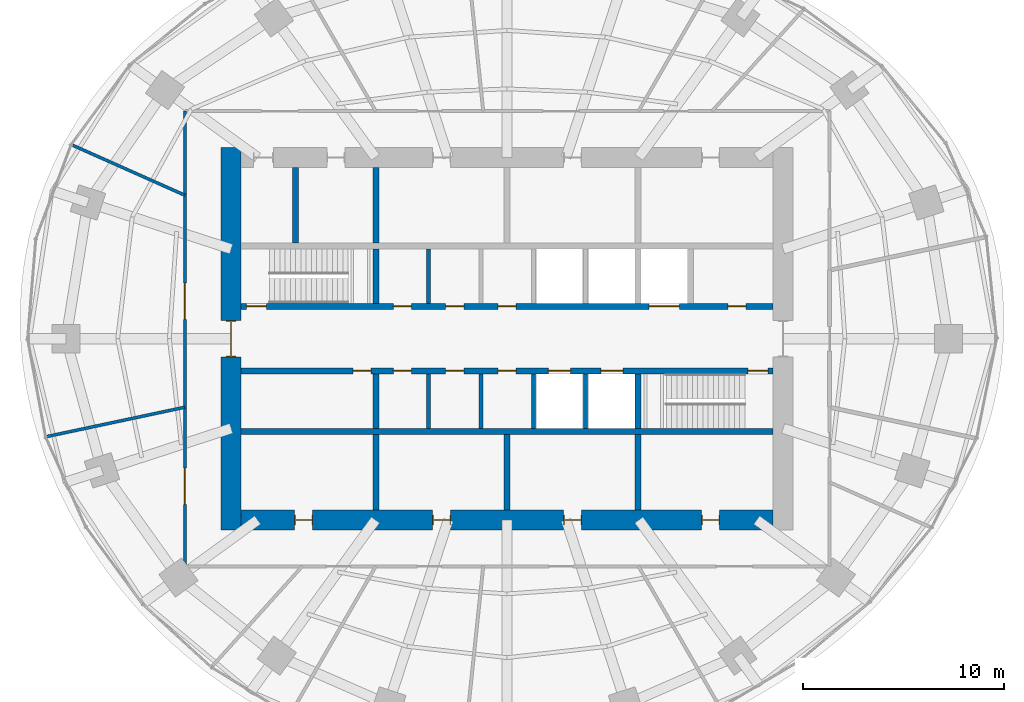
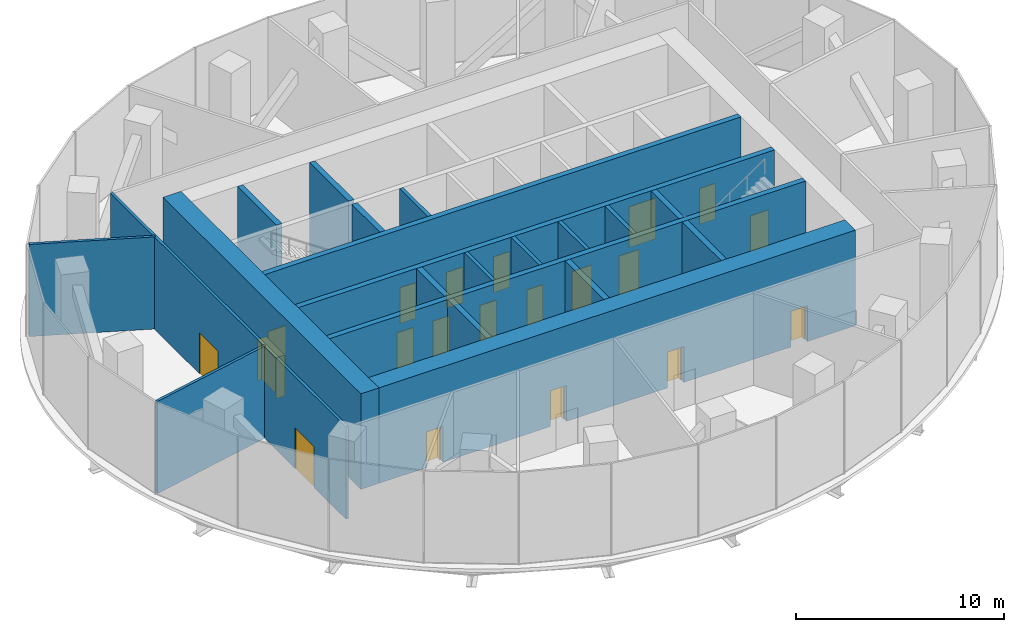
# One storey, part 10 of 13: 21 walls, 20 doors, 20 openings.
"""IFC4 building model written with IfcOpenShell, lengths in metres."""

from ifc_helpers import new_model, si_unit, direction, frame, frame_2d, origin, place, context, subcontext, project, spatial, rectangle, extrude, material, layer, layer_set, type_object, element, fill, save


model = new_model("IFC4")

# Units and contexts
model_context = context("Model", 3, precision=1e-05, world=origin(), true_north=direction((0.0, 1.0)))
body_context = subcontext(model_context, "Body", "Model", "MODEL_VIEW")
ifc_project = project(units=[si_unit("LENGTHUNIT", "METRE"), si_unit("AREAUNIT", "SQUARE_METRE"), si_unit("VOLUMEUNIT", "CUBIC_METRE"), si_unit("PLANEANGLEUNIT", "RADIAN"), si_unit("MASSUNIT", "GRAM", prefix="KILO")], contexts=[model_context])

# Site, building, storey
site_placement = place(None, origin())
site = spatial("IfcSite", under=ifc_project, at=site_placement, CompositionType="ELEMENT")
building_placement = place(site_placement, origin())
building = spatial("IfcBuilding", under=site, at=building_placement, Name="Marramba Exchange Tower", CompositionType="ELEMENT")
storey_placement = place(building_placement, frame((0.0, 0.0, 246.199951171875)))
storey = spatial("IfcBuildingStorey", under=building, at=storey_placement, Name="L60", CompositionType="ELEMENT", Elevation=246.199951171875)

# Walls
ifc_material_1 = material(Name="Concrete N50", Category="concrete")
ifc_layer_1 = layer(ifc_material_1, 0.199951171875)
ifc_layer_set_1 = layer_set([ifc_layer_1], Name="Core shaft wall 200")
wall_type_1 = type_object("IfcWallType", Name="Core shaft wall 200", PredefinedType="SHEAR", material=ifc_layer_set_1)
for number, where, z_axis, x_axis, name in (
    (1, (-3.89990234375, 1.75, 0.0), (0.0, 0.0, 1.0), (0.0, 1.0, 0.0), "Core wall SHN1 L60"),
    (2, (-3.89990234375, -1.75, 0.0), (0.0, 0.0, 1.0), (0.0, -1.0, 0.0), "Core wall SHS1 L60"),
    (3, (-1.300048828125, -1.75, 0.0), (0.0, 0.0, 1.0), (0.0, -1.0, 0.0), "Core wall SHS2 L60"),
    (4, (1.300048828125, -1.75, 0.0), (0.0, 0.0, 1.0), (0.0, -1.0, 0.0), "Core wall SHS3 L60"),
    (5, (3.89990234375, -1.75, 0.0), (0.0, 0.0, 1.0), (0.0, -1.0, 0.0), "Core wall SHS4 L60"),
):
    element("IfcWall", number, at=place(storey_placement, frame(where, z_axis=z_axis, x_axis=x_axis)), inside=storey, type_object=wall_type_1, Name=name, PredefinedType="SHEAR", context=body_context, shape_type="SweptSolid", body=[
        extrude(rectangle(XDim=2.699951171875, YDim=0.199951171875, at=frame_2d((1.35009765625, 0.0))), origin(), (0.0, 0.0, 1.0), 5.60009765625),
    ])

# Wall, openings, doors
ifc_layer_2 = layer(ifc_material_1, 1.0)
ifc_layer_set_2 = layer_set([ifc_layer_2], Name="Core wall 1000")
wall_type_2 = type_object("IfcWallType", Name="Core wall 1000", PredefinedType="SHEAR", material=ifc_layer_set_2)
wall_1_placement = place(storey_placement, frame((-13.199951171875, -9.0, 0.0), z_axis=(0.0, 0.0, 1.0), x_axis=(1.0, 0.0, 0.0)))
wall_1 = element("IfcWall", 6, at=wall_1_placement, inside=storey, type_object=wall_type_2, Name="Core wall S L60", PredefinedType="SHEAR", context=body_context, shape_type="SweptSolid", body=[
    extrude(rectangle(XDim=26.39990234375, YDim=1.0, at=frame_2d((13.199951171875, 0.0))), origin(), (0.0, 0.0, 1.0), 5.60009765625),
])
opening_1_placement = place(wall_1_placement, frame((2.64990234375, 0.0, 0.0)))
opening_1 = element("IfcOpeningElement", 7, at=opening_1_placement, cuts=wall_1, Name="Opening D5", PredefinedType="OPENING", context=body_context, shape_type="SweptSolid", body=[
    extrude(rectangle(XDim=0.89990234375, YDim=2.10009765625, at=frame_2d((0.449951171875, 1.050048828125))), frame((0.0, 0.510009765625, 0.0), z_axis=(0.0, -1.0, 0.0), x_axis=(1.0, 0.0, 0.0)), (0.0, 0.0, 1.0), 1.02001953125),
])
opening_2_placement = place(wall_1_placement, frame((9.5, 0.0, 0.0)))
opening_2 = element("IfcOpeningElement", 8, at=opening_2_placement, cuts=wall_1, Name="Opening D5", PredefinedType="OPENING", context=body_context, shape_type="SweptSolid", body=[
    extrude(rectangle(XDim=0.89990234375, YDim=2.10009765625, at=frame_2d((0.449951171875, 1.050048828125))), frame((0.0, 0.510009765625, 0.0), z_axis=(0.0, -1.0, 0.0), x_axis=(1.0, 0.0, 0.0)), (0.0, 0.0, 1.0), 1.02001953125),
])
opening_3_placement = place(wall_1_placement, frame((16.0, 0.0, 0.0)))
opening_3 = element("IfcOpeningElement", 9, at=opening_3_placement, cuts=wall_1, Name="Opening D5", PredefinedType="OPENING", context=body_context, shape_type="SweptSolid", body=[
    extrude(rectangle(XDim=0.89990234375, YDim=2.10009765625, at=frame_2d((0.449951171875, 1.050048828125))), frame((0.0, 0.510009765625, 0.0), z_axis=(0.0, -1.0, 0.0), x_axis=(1.0, 0.0, 0.0)), (0.0, 0.0, 1.0), 1.02001953125),
])
opening_4_placement = place(wall_1_placement, frame((22.85009765625, 0.0, 0.0)))
opening_4 = element("IfcOpeningElement", 10, at=opening_4_placement, cuts=wall_1, Name="Opening D5", PredefinedType="OPENING", context=body_context, shape_type="SweptSolid", body=[
    extrude(rectangle(XDim=0.89990234375, YDim=2.10009765625, at=frame_2d((0.449951171875, 1.050048828125))), frame((0.0, 0.510009765625, 0.0), z_axis=(0.0, -1.0, 0.0), x_axis=(1.0, 0.0, 0.0)), (0.0, 0.0, 1.0), 1.02001953125),
])
ifc_material_2 = material(Name="Steel-framed door", Category="steel")
door_type_1 = type_object("IfcDoorType", Name="Service door 900x2100", OperationType="SINGLE_SWING_LEFT", PredefinedType="DOOR", material=ifc_material_2)
door_1_placement = place(opening_1_placement, origin())
door_1 = element("IfcDoor", 11, at=door_1_placement, inside=storey, type_object=door_type_1, Name="D5 ahu L60", OperationType="SINGLE_SWING_LEFT", OverallHeight=2.10009765625, OverallWidth=0.89990234375, PredefinedType="DOOR", context=body_context, shape_type="SweptSolid", body=[
    extrude(rectangle(XDim=0.81982421875, YDim=2.06005859375, at=frame_2d((0.449951171875, 1.030029296875))), frame((0.0, 0.02490234375, 0.0), z_axis=(0.0, -1.0, 0.0), x_axis=(1.0, 0.0, 0.0)), (0.0, 0.0, 1.0), 0.050048828125),
    extrude(rectangle(XDim=0.04, YDim=2.10009765625, at=frame_2d((0.02001953125, 1.050048828125))), frame((0.0, 0.25, 0.0), z_axis=(0.0, -1.0, 0.0), x_axis=(1.0, 0.0, 0.0)), (0.0, 0.0, 1.0), 0.5),
    extrude(rectangle(XDim=0.04, YDim=2.10009765625, at=frame_2d((0.8798828125, 1.050048828125))), frame((0.0, 0.25, 0.0), z_axis=(0.0, -1.0, 0.0), x_axis=(1.0, 0.0, 0.0)), (0.0, 0.0, 1.0), 0.5),
    extrude(rectangle(XDim=0.81982421875, YDim=0.04, at=frame_2d((0.449951171875, 2.080078125))), frame((0.0, 0.25, 0.0), z_axis=(0.0, -1.0, 0.0), x_axis=(1.0, 0.0, 0.0)), (0.0, 0.0, 1.0), 0.5),
])
fill(opening_1, door_1)
door_2_placement = place(opening_2_placement, origin())
door_2 = element("IfcDoor", 12, at=door_2_placement, inside=storey, type_object=door_type_1, Name="D5 store L60", OperationType="SINGLE_SWING_RIGHT", OverallHeight=2.10009765625, OverallWidth=0.89990234375, PredefinedType="DOOR", context=body_context, shape_type="SweptSolid", body=[
    extrude(rectangle(XDim=0.81982421875, YDim=2.06005859375, at=frame_2d((0.449951171875, 1.030029296875))), frame((0.0, 0.02490234375, 0.0), z_axis=(0.0, -1.0, 0.0), x_axis=(1.0, 0.0, 0.0)), (0.0, 0.0, 1.0), 0.050048828125),
    extrude(rectangle(XDim=0.04, YDim=2.10009765625, at=frame_2d((0.02001953125, 1.050048828125))), frame((0.0, 0.25, 0.0), z_axis=(0.0, -1.0, 0.0), x_axis=(1.0, 0.0, 0.0)), (0.0, 0.0, 1.0), 0.5),
    extrude(rectangle(XDim=0.04, YDim=2.10009765625, at=frame_2d((0.8798828125, 1.050048828125))), frame((0.0, 0.25, 0.0), z_axis=(0.0, -1.0, 0.0), x_axis=(1.0, 0.0, 0.0)), (0.0, 0.0, 1.0), 0.5),
    extrude(rectangle(XDim=0.81982421875, YDim=0.04, at=frame_2d((0.449951171875, 2.080078125))), frame((0.0, 0.25, 0.0), z_axis=(0.0, -1.0, 0.0), x_axis=(1.0, 0.0, 0.0)), (0.0, 0.0, 1.0), 0.5),
])
fill(opening_2, door_2)
door_3_placement = place(opening_3_placement, origin())
door_3 = element("IfcDoor", 13, at=door_3_placement, inside=storey, type_object=door_type_1, Name="D5 switch L60", OperationType="SINGLE_SWING_RIGHT", OverallHeight=2.10009765625, OverallWidth=0.89990234375, PredefinedType="DOOR", context=body_context, shape_type="SweptSolid", body=[
    extrude(rectangle(XDim=0.81982421875, YDim=2.06005859375, at=frame_2d((0.449951171875, 1.030029296875))), frame((0.0, 0.02490234375, 0.0), z_axis=(0.0, -1.0, 0.0), x_axis=(1.0, 0.0, 0.0)), (0.0, 0.0, 1.0), 0.050048828125),
    extrude(rectangle(XDim=0.04, YDim=2.10009765625, at=frame_2d((0.02001953125, 1.050048828125))), frame((0.0, 0.25, 0.0), z_axis=(0.0, -1.0, 0.0), x_axis=(1.0, 0.0, 0.0)), (0.0, 0.0, 1.0), 0.5),
    extrude(rectangle(XDim=0.04, YDim=2.10009765625, at=frame_2d((0.8798828125, 1.050048828125))), frame((0.0, 0.25, 0.0), z_axis=(0.0, -1.0, 0.0), x_axis=(1.0, 0.0, 0.0)), (0.0, 0.0, 1.0), 0.5),
    extrude(rectangle(XDim=0.81982421875, YDim=0.04, at=frame_2d((0.449951171875, 2.080078125))), frame((0.0, 0.25, 0.0), z_axis=(0.0, -1.0, 0.0), x_axis=(1.0, 0.0, 0.0)), (0.0, 0.0, 1.0), 0.5),
])
fill(opening_3, door_3)
door_4_placement = place(opening_4_placement, origin())
door_4 = element("IfcDoor", 14, at=door_4_placement, inside=storey, type_object=door_type_1, Name="D5 cstore L60", OperationType="SINGLE_SWING_RIGHT", OverallHeight=2.10009765625, OverallWidth=0.89990234375, PredefinedType="DOOR", context=body_context, shape_type="SweptSolid", body=[
    extrude(rectangle(XDim=0.81982421875, YDim=2.06005859375, at=frame_2d((0.449951171875, 1.030029296875))), frame((0.0, 0.02490234375, 0.0), z_axis=(0.0, -1.0, 0.0), x_axis=(1.0, 0.0, 0.0)), (0.0, 0.0, 1.0), 0.050048828125),
    extrude(rectangle(XDim=0.04, YDim=2.10009765625, at=frame_2d((0.02001953125, 1.050048828125))), frame((0.0, 0.25, 0.0), z_axis=(0.0, -1.0, 0.0), x_axis=(1.0, 0.0, 0.0)), (0.0, 0.0, 1.0), 0.5),
    extrude(rectangle(XDim=0.04, YDim=2.10009765625, at=frame_2d((0.8798828125, 1.050048828125))), frame((0.0, 0.25, 0.0), z_axis=(0.0, -1.0, 0.0), x_axis=(1.0, 0.0, 0.0)), (0.0, 0.0, 1.0), 0.5),
    extrude(rectangle(XDim=0.81982421875, YDim=0.04, at=frame_2d((0.449951171875, 2.080078125))), frame((0.0, 0.25, 0.0), z_axis=(0.0, -1.0, 0.0), x_axis=(1.0, 0.0, 0.0)), (0.0, 0.0, 1.0), 0.5),
])
fill(opening_4, door_4)

# Wall, opening, door
wall_2_placement = place(storey_placement, frame((-13.699951171875, 9.5, 0.0), z_axis=(0.0, 0.0, 1.0), x_axis=(0.0, -1.0, 0.0)))
wall_2 = element("IfcWall", 15, at=wall_2_placement, inside=storey, type_object=wall_type_2, Name="Core wall W L60", PredefinedType="SHEAR", context=body_context, shape_type="SweptSolid", body=[
    extrude(rectangle(XDim=19.0, YDim=1.0, at=frame_2d((9.5, 0.0))), origin(), (0.0, 0.0, 1.0), 5.60009765625),
])
opening_5_placement = place(wall_2_placement, frame((8.60009765625, 0.0, 0.0)))
opening_5 = element("IfcOpeningElement", 16, at=opening_5_placement, cuts=wall_2, Name="Opening D1", PredefinedType="OPENING", context=body_context, shape_type="SweptSolid", body=[
    extrude(rectangle(XDim=1.800048828125, YDim=2.39990234375, at=frame_2d((0.89990234375, 1.199951171875))), frame((0.0, 0.510009765625, 0.0), z_axis=(0.0, -1.0, 0.0), x_axis=(1.0, 0.0, 0.0)), (0.0, 0.0, 1.0), 1.02001953125),
])
door_type_2 = type_object("IfcDoorType", Name="Lobby exit door 1800x2400", OperationType="DOUBLE_DOOR_SINGLE_SWING", PredefinedType="DOOR", material=ifc_material_2)
door_5_placement = place(opening_5_placement, origin())
door_5 = element("IfcDoor", 17, at=door_5_placement, inside=storey, type_object=door_type_2, Name="D1 lobby exit west L60", OperationType="DOUBLE_DOOR_SINGLE_SWING", OverallHeight=2.39990234375, OverallWidth=1.800048828125, PredefinedType="DOOR", context=body_context, shape_type="SweptSolid", body=[
    extrude(rectangle(XDim=1.719970703125, YDim=2.35986328125, at=frame_2d((0.89990234375, 1.179931640625))), frame((0.0, 0.02490234375, 0.0), z_axis=(0.0, -1.0, 0.0), x_axis=(1.0, 0.0, 0.0)), (0.0, 0.0, 1.0), 0.050048828125),
    extrude(rectangle(XDim=0.04, YDim=2.39990234375, at=frame_2d((0.02001953125, 1.199951171875))), frame((0.0, 0.25, 0.0), z_axis=(0.0, -1.0, 0.0), x_axis=(1.0, 0.0, 0.0)), (0.0, 0.0, 1.0), 0.5),
    extrude(rectangle(XDim=0.04, YDim=2.39990234375, at=frame_2d((1.780029296875, 1.199951171875))), frame((0.0, 0.25, 0.0), z_axis=(0.0, -1.0, 0.0), x_axis=(1.0, 0.0, 0.0)), (0.0, 0.0, 1.0), 0.5),
    extrude(rectangle(XDim=1.719970703125, YDim=0.04, at=frame_2d((0.89990234375, 2.3798828125))), frame((0.0, 0.25, 0.0), z_axis=(0.0, -1.0, 0.0), x_axis=(1.0, 0.0, 0.0)), (0.0, 0.0, 1.0), 0.5),
])
fill(opening_5, door_5)

# Wall, openings, doors
ifc_layer_3 = layer(ifc_material_1, 0.300048828125)
ifc_layer_set_3 = layer_set([ifc_layer_3], Name="Core wall 300")
wall_type_3 = type_object("IfcWallType", Name="Core wall 300", PredefinedType="SHEAR", material=ifc_layer_set_3)
wall_3_placement = place(storey_placement, frame((-13.199951171875, 1.60009765625, 0.0), z_axis=(0.0, 0.0, 1.0), x_axis=(1.0, 0.0, 0.0)))
wall_3 = element("IfcWall", 18, at=wall_3_placement, inside=storey, type_object=wall_type_3, Name="Core wall LN L60", PredefinedType="SHEAR", context=body_context, shape_type="SweptSolid", body=[
    extrude(rectangle(XDim=26.39990234375, YDim=0.300048828125, at=frame_2d((13.199951171875, 0.0))), origin(), (0.0, 0.0, 1.0), 5.60009765625),
])
opening_6_placement = place(wall_3_placement, frame((0.25, 0.0, 0.0)))
opening_6 = element("IfcOpeningElement", 19, at=opening_6_placement, cuts=wall_3, Name="Opening D2", PredefinedType="OPENING", context=body_context, shape_type="SweptSolid", body=[
    extrude(rectangle(XDim=1.0, YDim=2.10009765625, at=frame_2d((0.5, 1.050048828125))), frame((0.0, 0.159912109375, 0.0), z_axis=(0.0, -1.0, 0.0), x_axis=(1.0, 0.0, 0.0)), (0.0, 0.0, 1.0), 0.320068359375),
])
opening_7_placement = place(wall_3_placement, frame((20.25, 0.0, 0.0)))
opening_7 = element("IfcOpeningElement", 20, at=opening_7_placement, cuts=wall_3, Name="Opening LD3", PredefinedType="OPENING", context=body_context, shape_type="SweptSolid", body=[
    extrude(rectangle(XDim=1.5, YDim=2.39990234375, at=frame_2d((0.75, 1.199951171875))), frame((0.0, 0.159912109375, 0.0), z_axis=(0.0, -1.0, 0.0), x_axis=(1.0, 0.0, 0.0)), (0.0, 0.0, 1.0), 0.320068359375),
])
opening_8_placement = place(wall_3_placement, frame((7.550048828125, 0.0, 0.0)))
opening_8 = element("IfcOpeningElement", 21, at=opening_8_placement, cuts=wall_3, Name="Opening D5", PredefinedType="OPENING", context=body_context, shape_type="SweptSolid", body=[
    extrude(rectangle(XDim=0.89990234375, YDim=2.10009765625, at=frame_2d((0.449951171875, 1.050048828125))), frame((0.0, 0.159912109375, 0.0), z_axis=(0.0, -1.0, 0.0), x_axis=(1.0, 0.0, 0.0)), (0.0, 0.0, 1.0), 0.320068359375),
])
opening_9_placement = place(wall_3_placement, frame((10.14990234375, 0.0, 0.0)))
opening_9 = element("IfcOpeningElement", 22, at=opening_9_placement, cuts=wall_3, Name="Opening D5", PredefinedType="OPENING", context=body_context, shape_type="SweptSolid", body=[
    extrude(rectangle(XDim=0.89990234375, YDim=2.10009765625, at=frame_2d((0.449951171875, 1.050048828125))), frame((0.0, 0.159912109375, 0.0), z_axis=(0.0, -1.0, 0.0), x_axis=(1.0, 0.0, 0.0)), (0.0, 0.0, 1.0), 0.320068359375),
])
opening_10_placement = place(wall_3_placement, frame((12.75, 0.0, 0.0)))
opening_10 = element("IfcOpeningElement", 23, at=opening_10_placement, cuts=wall_3, Name="Opening D5", PredefinedType="OPENING", context=body_context, shape_type="SweptSolid", body=[
    extrude(rectangle(XDim=0.89990234375, YDim=2.10009765625, at=frame_2d((0.449951171875, 1.050048828125))), frame((0.0, 0.159912109375, 0.0), z_axis=(0.0, -1.0, 0.0), x_axis=(1.0, 0.0, 0.0)), (0.0, 0.0, 1.0), 0.320068359375),
])
opening_11_placement = place(wall_3_placement, frame((24.14990234375, 0.0, 0.0)))
opening_11 = element("IfcOpeningElement", 24, at=opening_11_placement, cuts=wall_3, Name="Opening D5", PredefinedType="OPENING", context=body_context, shape_type="SweptSolid", body=[
    extrude(rectangle(XDim=0.89990234375, YDim=2.10009765625, at=frame_2d((0.449951171875, 1.050048828125))), frame((0.0, 0.159912109375, 0.0), z_axis=(0.0, -1.0, 0.0), x_axis=(1.0, 0.0, 0.0)), (0.0, 0.0, 1.0), 0.320068359375),
])
door_type_3 = type_object("IfcDoorType", Name="Goods lift landing door 1500x2400", OperationType="SLIDING_TO_LEFT", PredefinedType="DOOR", material=ifc_material_2)
door_6_placement = place(opening_7_placement, origin())
door_6 = element("IfcDoor", 25, at=door_6_placement, inside=storey, type_object=door_type_3, Name="GL1 landing door L60", OperationType="SLIDING_TO_LEFT", OverallHeight=2.39990234375, OverallWidth=1.5, PredefinedType="DOOR", context=body_context, shape_type="SweptSolid", body=[
    extrude(rectangle(XDim=1.5, YDim=2.39990234375, at=frame_2d((0.75, 1.199951171875))), frame((0.0, 0.02490234375, 0.0), z_axis=(0.0, -1.0, 0.0), x_axis=(1.0, 0.0, 0.0)), (0.0, 0.0, 1.0), 0.050048828125),
])
fill(opening_7, door_6)
door_7_placement = place(opening_8_placement, origin())
door_7 = element("IfcDoor", 26, at=door_7_placement, inside=storey, type_object=door_type_1, Name="D5 store n1 L60", OperationType="SINGLE_SWING_RIGHT", OverallHeight=2.10009765625, OverallWidth=0.89990234375, PredefinedType="DOOR", context=body_context, shape_type="SweptSolid", body=[
    extrude(rectangle(XDim=0.89990234375, YDim=2.10009765625, at=frame_2d((0.449951171875, 1.050048828125))), frame((0.0, 0.02490234375, 0.0), z_axis=(0.0, -1.0, 0.0), x_axis=(1.0, 0.0, 0.0)), (0.0, 0.0, 1.0), 0.050048828125),
])
fill(opening_8, door_7)
door_8_placement = place(opening_9_placement, origin())
door_8 = element("IfcDoor", 27, at=door_8_placement, inside=storey, type_object=door_type_1, Name="D5 store n2 L60", OperationType="SINGLE_SWING_RIGHT", OverallHeight=2.10009765625, OverallWidth=0.89990234375, PredefinedType="DOOR", context=body_context, shape_type="SweptSolid", body=[
    extrude(rectangle(XDim=0.89990234375, YDim=2.10009765625, at=frame_2d((0.449951171875, 1.050048828125))), frame((0.0, 0.02490234375, 0.0), z_axis=(0.0, -1.0, 0.0), x_axis=(1.0, 0.0, 0.0)), (0.0, 0.0, 1.0), 0.050048828125),
])
fill(opening_9, door_8)
door_9_placement = place(opening_10_placement, origin())
door_9 = element("IfcDoor", 28, at=door_9_placement, inside=storey, type_object=door_type_1, Name="D5 store n3 L60", OperationType="SINGLE_SWING_RIGHT", OverallHeight=2.10009765625, OverallWidth=0.89990234375, PredefinedType="DOOR", context=body_context, shape_type="SweptSolid", body=[
    extrude(rectangle(XDim=0.89990234375, YDim=2.10009765625, at=frame_2d((0.449951171875, 1.050048828125))), frame((0.0, 0.02490234375, 0.0), z_axis=(0.0, -1.0, 0.0), x_axis=(1.0, 0.0, 0.0)), (0.0, 0.0, 1.0), 0.050048828125),
])
fill(opening_10, door_9)
door_10_placement = place(opening_11_placement, origin())
door_10 = element("IfcDoor", 29, at=door_10_placement, inside=storey, type_object=door_type_1, Name="D5 riser L60", OperationType="SINGLE_SWING_RIGHT", OverallHeight=2.10009765625, OverallWidth=0.89990234375, PredefinedType="DOOR", context=body_context, shape_type="SweptSolid", body=[
    extrude(rectangle(XDim=0.89990234375, YDim=2.10009765625, at=frame_2d((0.449951171875, 1.050048828125))), frame((0.0, 0.02490234375, 0.0), z_axis=(0.0, -1.0, 0.0), x_axis=(1.0, 0.0, 0.0)), (0.0, 0.0, 1.0), 0.050048828125),
])
fill(opening_11, door_10)
door_type_4 = type_object("IfcDoorType", Name="Stair door 1000x2100", OperationType="SINGLE_SWING_LEFT", PredefinedType="DOOR", material=ifc_material_2)
door_11_placement = place(opening_6_placement, origin())
door_11 = element("IfcDoor", 30, at=door_11_placement, inside=storey, type_object=door_type_4, Name="D2 stair ST1 L60", OperationType="SINGLE_SWING_LEFT", OverallHeight=2.10009765625, OverallWidth=1.0, PredefinedType="DOOR", context=body_context, shape_type="SweptSolid", body=[
    extrude(rectangle(XDim=1.0, YDim=2.10009765625, at=frame_2d((0.5, 1.050048828125))), frame((0.0, 0.02490234375, 0.0), z_axis=(0.0, -1.0, 0.0), x_axis=(1.0, 0.0, 0.0)), (0.0, 0.0, 1.0), 0.050048828125),
])
fill(opening_6, door_11)

wall_4_placement = place(storey_placement, frame((-13.199951171875, -1.60009765625, 0.0), z_axis=(0.0, 0.0, 1.0), x_axis=(1.0, 0.0, 0.0)))
wall_4 = element("IfcWall", 31, at=wall_4_placement, inside=storey, type_object=wall_type_3, Name="Core wall LS L60", PredefinedType="SHEAR", context=body_context, shape_type="SweptSolid", body=[
    extrude(rectangle(XDim=26.39990234375, YDim=0.300048828125, at=frame_2d((13.199951171875, 0.0))), origin(), (0.0, 0.0, 1.0), 5.60009765625),
])
opening_12_placement = place(wall_4_placement, frame((25.14990234375, 0.0, 0.0)))
opening_12 = element("IfcOpeningElement", 32, at=opening_12_placement, cuts=wall_4, Name="Opening D2", PredefinedType="OPENING", context=body_context, shape_type="SweptSolid", body=[
    extrude(rectangle(XDim=1.0, YDim=2.10009765625, at=frame_2d((0.5, 1.050048828125))), frame((0.0, 0.159912109375, 0.0), z_axis=(0.0, -1.0, 0.0), x_axis=(1.0, 0.0, 0.0)), (0.0, 0.0, 1.0), 0.320068359375),
])
opening_13_placement = place(wall_4_placement, frame((7.550048828125, 0.0, 0.0)))
opening_13 = element("IfcOpeningElement", 33, at=opening_13_placement, cuts=wall_4, Name="Opening D5", PredefinedType="OPENING", context=body_context, shape_type="SweptSolid", body=[
    extrude(rectangle(XDim=0.89990234375, YDim=2.10009765625, at=frame_2d((0.449951171875, 1.050048828125))), frame((0.0, 0.159912109375, 0.0), z_axis=(0.0, -1.0, 0.0), x_axis=(1.0, 0.0, 0.0)), (0.0, 0.0, 1.0), 0.320068359375),
])
opening_14_placement = place(wall_4_placement, frame((10.14990234375, 0.0, 0.0)))
opening_14 = element("IfcOpeningElement", 34, at=opening_14_placement, cuts=wall_4, Name="Opening D5", PredefinedType="OPENING", context=body_context, shape_type="SweptSolid", body=[
    extrude(rectangle(XDim=0.89990234375, YDim=2.10009765625, at=frame_2d((0.449951171875, 1.050048828125))), frame((0.0, 0.159912109375, 0.0), z_axis=(0.0, -1.0, 0.0), x_axis=(1.0, 0.0, 0.0)), (0.0, 0.0, 1.0), 0.320068359375),
])
opening_15_placement = place(wall_4_placement, frame((12.75, 0.0, 0.0)))
opening_15 = element("IfcOpeningElement", 35, at=opening_15_placement, cuts=wall_4, Name="Opening D5", PredefinedType="OPENING", context=body_context, shape_type="SweptSolid", body=[
    extrude(rectangle(XDim=0.89990234375, YDim=2.10009765625, at=frame_2d((0.449951171875, 1.050048828125))), frame((0.0, 0.159912109375, 0.0), z_axis=(0.0, -1.0, 0.0), x_axis=(1.0, 0.0, 0.0)), (0.0, 0.0, 1.0), 0.320068359375),
])
opening_16_placement = place(wall_4_placement, frame((15.25, 0.0, 0.0)))
opening_16 = element("IfcOpeningElement", 36, at=opening_16_placement, cuts=wall_4, Name="Opening LD2", PredefinedType="OPENING", context=body_context, shape_type="SweptSolid", body=[
    extrude(rectangle(XDim=1.10009765625, YDim=2.300048828125, at=frame_2d((0.550048828125, 1.14990234375))), frame((0.0, 0.159912109375, 0.0), z_axis=(0.0, -1.0, 0.0), x_axis=(1.0, 0.0, 0.0)), (0.0, 0.0, 1.0), 0.320068359375),
])
opening_17_placement = place(wall_4_placement, frame((17.85009765625, 0.0, 0.0)))
opening_17 = element("IfcOpeningElement", 37, at=opening_17_placement, cuts=wall_4, Name="Opening LD2", PredefinedType="OPENING", context=body_context, shape_type="SweptSolid", body=[
    extrude(rectangle(XDim=1.10009765625, YDim=2.300048828125, at=frame_2d((0.550048828125, 1.14990234375))), frame((0.0, 0.159912109375, 0.0), z_axis=(0.0, -1.0, 0.0), x_axis=(1.0, 0.0, 0.0)), (0.0, 0.0, 1.0), 0.320068359375),
])
opening_18_placement = place(wall_4_placement, frame((5.550048828125, 0.0, 0.0)))
opening_18 = element("IfcOpeningElement", 38, at=opening_18_placement, cuts=wall_4, Name="Opening D5", PredefinedType="OPENING", context=body_context, shape_type="SweptSolid", body=[
    extrude(rectangle(XDim=0.89990234375, YDim=2.10009765625, at=frame_2d((0.449951171875, 1.050048828125))), frame((0.0, 0.159912109375, 0.0), z_axis=(0.0, -1.0, 0.0), x_axis=(1.0, 0.0, 0.0)), (0.0, 0.0, 1.0), 0.320068359375),
])
door_type_5 = type_object("IfcDoorType", Name="Emergency lift landing door 1100x2300", OperationType="SLIDING_TO_LEFT", PredefinedType="DOOR", material=ifc_material_2)
door_12_placement = place(opening_16_placement, frame((1.10009765625, 0.0, 0.0), z_axis=(0.0, 0.0, 1.0), x_axis=(-1.0, 0.0, 0.0)))
door_12 = element("IfcDoor", 39, at=door_12_placement, inside=storey, type_object=door_type_5, Name="FL1 landing door L60", OperationType="SLIDING_TO_RIGHT", OverallHeight=2.300048828125, OverallWidth=1.10009765625, PredefinedType="DOOR", context=body_context, shape_type="SweptSolid", body=[
    extrude(rectangle(XDim=1.10009765625, YDim=2.300048828125, at=frame_2d((0.550048828125, 1.14990234375))), frame((0.0, 0.025146484375, 0.0), z_axis=(0.0, -1.0, 0.0), x_axis=(1.0, 0.0, 0.0)), (0.0, 0.0, 1.0), 0.050048828125),
])
fill(opening_16, door_12)
door_13_placement = place(opening_17_placement, frame((1.10009765625, 0.0, 0.0), z_axis=(0.0, 0.0, 1.0), x_axis=(-1.0, 0.0, 0.0)))
door_13 = element("IfcDoor", 40, at=door_13_placement, inside=storey, type_object=door_type_5, Name="FL2 landing door L60", OperationType="SLIDING_TO_LEFT", OverallHeight=2.300048828125, OverallWidth=1.10009765625, PredefinedType="DOOR", context=body_context, shape_type="SweptSolid", body=[
    extrude(rectangle(XDim=1.10009765625, YDim=2.300048828125, at=frame_2d((0.550048828125, 1.14990234375))), frame((0.0, 0.025146484375, 0.0), z_axis=(0.0, -1.0, 0.0), x_axis=(1.0, 0.0, 0.0)), (0.0, 0.0, 1.0), 0.050048828125),
])
fill(opening_17, door_13)
door_14_placement = place(opening_13_placement, frame((0.89990234375, 0.0, 0.0), z_axis=(0.0, 0.0, 1.0), x_axis=(-1.0, 0.0, 0.0)))
door_14 = element("IfcDoor", 41, at=door_14_placement, inside=storey, type_object=door_type_1, Name="D5 store s1 L60", OperationType="SINGLE_SWING_RIGHT", OverallHeight=2.10009765625, OverallWidth=0.89990234375, PredefinedType="DOOR", context=body_context, shape_type="SweptSolid", body=[
    extrude(rectangle(XDim=0.89990234375, YDim=2.10009765625, at=frame_2d((0.449951171875, 1.050048828125))), frame((0.0, 0.025146484375, 0.0), z_axis=(0.0, -1.0, 0.0), x_axis=(1.0, 0.0, 0.0)), (0.0, 0.0, 1.0), 0.050048828125),
])
fill(opening_13, door_14)
door_15_placement = place(opening_14_placement, frame((0.89990234375, 0.0, 0.0), z_axis=(0.0, 0.0, 1.0), x_axis=(-1.0, 0.0, 0.0)))
door_15 = element("IfcDoor", 42, at=door_15_placement, inside=storey, type_object=door_type_1, Name="D5 store s2 L60", OperationType="SINGLE_SWING_RIGHT", OverallHeight=2.10009765625, OverallWidth=0.89990234375, PredefinedType="DOOR", context=body_context, shape_type="SweptSolid", body=[
    extrude(rectangle(XDim=0.89990234375, YDim=2.10009765625, at=frame_2d((0.449951171875, 1.050048828125))), frame((0.0, 0.025146484375, 0.0), z_axis=(0.0, -1.0, 0.0), x_axis=(1.0, 0.0, 0.0)), (0.0, 0.0, 1.0), 0.050048828125),
])
fill(opening_14, door_15)
door_16_placement = place(opening_15_placement, frame((0.89990234375, 0.0, 0.0), z_axis=(0.0, 0.0, 1.0), x_axis=(-1.0, 0.0, 0.0)))
door_16 = element("IfcDoor", 43, at=door_16_placement, inside=storey, type_object=door_type_1, Name="D5 store s3 L60", OperationType="SINGLE_SWING_RIGHT", OverallHeight=2.10009765625, OverallWidth=0.89990234375, PredefinedType="DOOR", context=body_context, shape_type="SweptSolid", body=[
    extrude(rectangle(XDim=0.89990234375, YDim=2.10009765625, at=frame_2d((0.449951171875, 1.050048828125))), frame((0.0, 0.025146484375, 0.0), z_axis=(0.0, -1.0, 0.0), x_axis=(1.0, 0.0, 0.0)), (0.0, 0.0, 1.0), 0.050048828125),
])
fill(opening_15, door_16)
door_17_placement = place(opening_18_placement, frame((0.89990234375, 0.0, 0.0), z_axis=(0.0, 0.0, 1.0), x_axis=(-1.0, 0.0, 0.0)))
door_17 = element("IfcDoor", 44, at=door_17_placement, inside=storey, type_object=door_type_1, Name="D5 electrical riser L60", OperationType="SINGLE_SWING_LEFT", OverallHeight=2.10009765625, OverallWidth=0.89990234375, PredefinedType="DOOR", context=body_context, shape_type="SweptSolid", body=[
    extrude(rectangle(XDim=0.89990234375, YDim=2.10009765625, at=frame_2d((0.449951171875, 1.050048828125))), frame((0.0, 0.025146484375, 0.0), z_axis=(0.0, -1.0, 0.0), x_axis=(1.0, 0.0, 0.0)), (0.0, 0.0, 1.0), 0.050048828125),
])
fill(opening_18, door_17)
door_18_placement = place(opening_12_placement, frame((1.0, 0.0, 0.0), z_axis=(0.0, 0.0, 1.0), x_axis=(-1.0, 0.0, 0.0)))
door_18 = element("IfcDoor", 45, at=door_18_placement, inside=storey, type_object=door_type_4, Name="D2 stair ST2 L60", OperationType="SINGLE_SWING_LEFT", OverallHeight=2.10009765625, OverallWidth=1.0, PredefinedType="DOOR", context=body_context, shape_type="SweptSolid", body=[
    extrude(rectangle(XDim=1.0, YDim=2.10009765625, at=frame_2d((0.5, 1.050048828125))), frame((0.0, 0.025146484375, 0.0), z_axis=(0.0, -1.0, 0.0), x_axis=(1.0, 0.0, 0.0)), (0.0, 0.0, 1.0), 0.050048828125),
])
fill(opening_12, door_18)

# Walls
wall_5_placement = place(storey_placement, frame((-13.199951171875, -4.60009765625, 0.0), z_axis=(0.0, 0.0, 1.0), x_axis=(1.0, 0.0, 0.0)))
element("IfcWall", 46, at=wall_5_placement, inside=storey, type_object=wall_type_3, Name="Core wall BS L60", PredefinedType="SHEAR", context=body_context, shape_type="SweptSolid", body=[
    extrude(rectangle(XDim=26.39990234375, YDim=0.300048828125, at=frame_2d((13.199951171875, 0.0))), origin(), (0.0, 0.0, 1.0), 5.60009765625),
])
wall_6_placement = place(storey_placement, frame((-6.5, 1.75, 0.0), z_axis=(0.0, 0.0, 1.0), x_axis=(0.0, 1.0, 0.0)))
element("IfcWall", 47, at=wall_6_placement, inside=storey, type_object=wall_type_3, Name="Core wall X0Na L60", PredefinedType="SHEAR", context=body_context, shape_type="SweptSolid", body=[
    extrude(rectangle(XDim=2.699951171875, YDim=0.300048828125, at=frame_2d((1.35009765625, 0.0))), origin(), (0.0, 0.0, 1.0), 5.60009765625),
])
wall_7_placement = place(storey_placement, frame((-6.5, 4.75, 0.0), z_axis=(0.0, 0.0, 1.0), x_axis=(0.0, 1.0, 0.0)))
element("IfcWall", 48, at=wall_7_placement, inside=storey, type_object=wall_type_3, Name="Core wall X0Nb L60", PredefinedType="SHEAR", context=body_context, shape_type="SweptSolid", body=[
    extrude(rectangle(XDim=3.75, YDim=0.300048828125, at=frame_2d((1.875, 0.0))), origin(), (0.0, 0.0, 1.0), 5.60009765625),
])
wall_8_placement = place(storey_placement, frame((-6.5, -1.75, 0.0), z_axis=(0.0, 0.0, 1.0), x_axis=(0.0, -1.0, 0.0)))
element("IfcWall", 49, at=wall_8_placement, inside=storey, type_object=wall_type_3, Name="Core wall X0Sa L60", PredefinedType="SHEAR", context=body_context, shape_type="SweptSolid", body=[
    extrude(rectangle(XDim=2.699951171875, YDim=0.300048828125, at=frame_2d((1.35009765625, 0.0))), origin(), (0.0, 0.0, 1.0), 5.60009765625),
])
wall_9_placement = place(storey_placement, frame((-6.5, -4.75, 0.0), z_axis=(0.0, 0.0, 1.0), x_axis=(0.0, -1.0, 0.0)))
element("IfcWall", 50, at=wall_9_placement, inside=storey, type_object=wall_type_3, Name="Core wall X0Sb L60", PredefinedType="SHEAR", context=body_context, shape_type="SweptSolid", body=[
    extrude(rectangle(XDim=3.75, YDim=0.300048828125, at=frame_2d((1.875, 0.0))), origin(), (0.0, 0.0, 1.0), 5.60009765625),
])
wall_10_placement = place(storey_placement, frame((6.5, -1.75, 0.0), z_axis=(0.0, 0.0, 1.0), x_axis=(0.0, -1.0, 0.0)))
element("IfcWall", 51, at=wall_10_placement, inside=storey, type_object=wall_type_3, Name="Core wall X1Sa L60", PredefinedType="SHEAR", context=body_context, shape_type="SweptSolid", body=[
    extrude(rectangle(XDim=2.699951171875, YDim=0.300048828125, at=frame_2d((1.35009765625, 0.0))), origin(), (0.0, 0.0, 1.0), 5.60009765625),
])
for number, where, z_axis, x_axis, name in (
    (52, (6.5, -4.75, 0.0), (0.0, 0.0, 1.0), (0.0, -1.0, 0.0), "Core wall X1Sb L60"),
    (53, (0.0, -4.75, 0.0), (0.0, 0.0, 1.0), (0.0, -1.0, 0.0), "Core wall MS L60"),
    (54, (-10.5, 4.75, 0.0), (0.0, 0.0, 1.0), (0.0, 1.0, 0.0), "Core wall WD L60"),
):
    element("IfcWall", number, at=place(storey_placement, frame(where, z_axis=z_axis, x_axis=x_axis)), inside=storey, type_object=wall_type_3, Name=name, PredefinedType="SHEAR", context=body_context, shape_type="SweptSolid", body=[
        extrude(rectangle(XDim=3.75, YDim=0.300048828125, at=frame_2d((1.875, 0.0))), origin(), (0.0, 0.0, 1.0), 5.60009765625),
    ])
ifc_material_3 = material(Name="Fire-rated plasterboard on steel studs, acoustic insulation", Category="steel")
ifc_layer_4 = layer(ifc_material_3, 0.14990234375)
ifc_layer_set_4 = layer_set([ifc_layer_4], Name="Tenancy wall 150")
wall_type_4 = type_object("IfcWallType", Name="Tenancy wall 150", PredefinedType="PARTITIONING", material=ifc_layer_set_4)
wall_11_placement = place(storey_placement, frame((-16.0, -3.40087890625, 0.0), z_axis=(0.0, 0.0, 1.0), x_axis=(-0.978145707098, -0.207920599476, 0.0)))
element("IfcWall", 55, at=wall_11_placement, inside=storey, type_object=wall_type_4, Name="Tenancy wall L60 01", PredefinedType="PARTITIONING", context=body_context, shape_type="SweptSolid", body=[
    extrude(rectangle(XDim=6.98779296875, YDim=0.14990234375, at=frame_2d((3.493896484375, 0.0))), origin(), (0.0, 0.0, 1.0), 5.400146484375),
])
wall_12_placement = place(storey_placement, frame((-16.0, 7.123779296875, 0.0), z_axis=(0.0, 0.0, 1.0), x_axis=(-0.913547117463, 0.406732915039, 0.0)))
element("IfcWall", 56, at=wall_12_placement, inside=storey, type_object=wall_type_4, Name="Tenancy wall L60 18", PredefinedType="PARTITIONING", context=body_context, shape_type="SweptSolid", body=[
    extrude(rectangle(XDim=6.09619140625, YDim=0.14990234375, at=frame_2d((3.048095703125, 0.0))), origin(), (0.0, 0.0, 1.0), 5.400146484375),
])

# Wall, openings, doors
wall_13_placement = place(storey_placement, frame((-16.0, 11.300048828125, 0.0), z_axis=(0.0, 0.0, 1.0), x_axis=(0.0, -1.0, 0.0)))
wall_13 = element("IfcWall", 57, at=wall_13_placement, inside=storey, type_object=wall_type_4, Name="Tenancy wall L60 19", PredefinedType="PARTITIONING", context=body_context, shape_type="SweptSolid", body=[
    extrude(rectangle(XDim=22.60009765625, YDim=0.14990234375, at=frame_2d((11.300048828125, 0.0))), origin(), (0.0, 0.0, 1.0), 5.400146484375),
])
opening_19_placement = place(wall_13_placement, frame((8.5390625, 0.0, 0.0)))
opening_19 = element("IfcOpeningElement", 58, at=opening_19_placement, cuts=wall_13, Name="Opening D18", PredefinedType="OPENING", context=body_context, shape_type="SweptSolid", body=[
    extrude(rectangle(XDim=1.800048828125, YDim=2.39990234375, at=frame_2d((0.89990234375, 1.199951171875))), frame((0.0, 0.0849609375, 0.0), z_axis=(0.0, -1.0, 0.0), x_axis=(1.0, 0.0, 0.0)), (0.0, 0.0, 1.0), 0.169921875),
])
opening_20_placement = place(wall_13_placement, frame((17.72509765625, 0.0, 0.0)))
opening_20 = element("IfcOpeningElement", 59, at=opening_20_placement, cuts=wall_13, Name="Opening D18", PredefinedType="OPENING", context=body_context, shape_type="SweptSolid", body=[
    extrude(rectangle(XDim=1.800048828125, YDim=2.39990234375, at=frame_2d((0.89990234375, 1.199951171875))), frame((0.0, 0.0849609375, 0.0), z_axis=(0.0, -1.0, 0.0), x_axis=(1.0, 0.0, 0.0)), (0.0, 0.0, 1.0), 0.169921875),
])
door_type_6 = type_object("IfcDoorType", Name="Door pair 1800x2400", OperationType="DOUBLE_DOOR_SINGLE_SWING", PredefinedType="DOOR", material=ifc_material_2)
door_19_placement = place(opening_19_placement, origin())
door_19 = element("IfcDoor", 60, at=door_19_placement, inside=storey, type_object=door_type_6, Name="D18 Water Transfer Tank Room L60", OperationType="DOUBLE_DOOR_SINGLE_SWING", OverallHeight=2.39990234375, OverallWidth=1.800048828125, PredefinedType="DOOR", context=body_context, shape_type="SweptSolid", body=[
    extrude(rectangle(XDim=1.800048828125, YDim=2.39990234375, at=frame_2d((0.89990234375, 1.199951171875))), frame((0.0, 0.02490234375, 0.0), z_axis=(0.0, -1.0, 0.0), x_axis=(1.0, 0.0, 0.0)), (0.0, 0.0, 1.0), 0.050048828125),
])
fill(opening_19, door_19)
door_20_placement = place(opening_20_placement, origin())
door_20 = element("IfcDoor", 61, at=door_20_placement, inside=storey, type_object=door_type_6, Name="D18 AHU Plant Room 2 L60", OperationType="DOUBLE_DOOR_SINGLE_SWING", OverallHeight=2.39990234375, OverallWidth=1.800048828125, PredefinedType="DOOR", context=body_context, shape_type="SweptSolid", body=[
    extrude(rectangle(XDim=1.800048828125, YDim=2.39990234375, at=frame_2d((0.89990234375, 1.199951171875))), frame((0.0, 0.02490234375, 0.0), z_axis=(0.0, -1.0, 0.0), x_axis=(1.0, 0.0, 0.0)), (0.0, 0.0, 1.0), 0.050048828125),
])
fill(opening_20, door_20)

save(model, "model.ifc")
